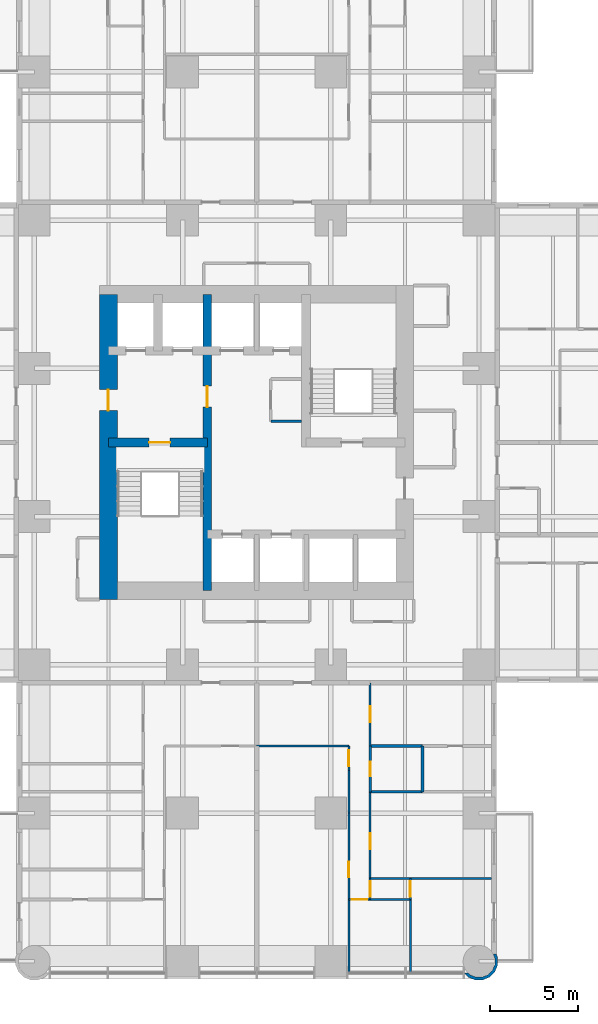
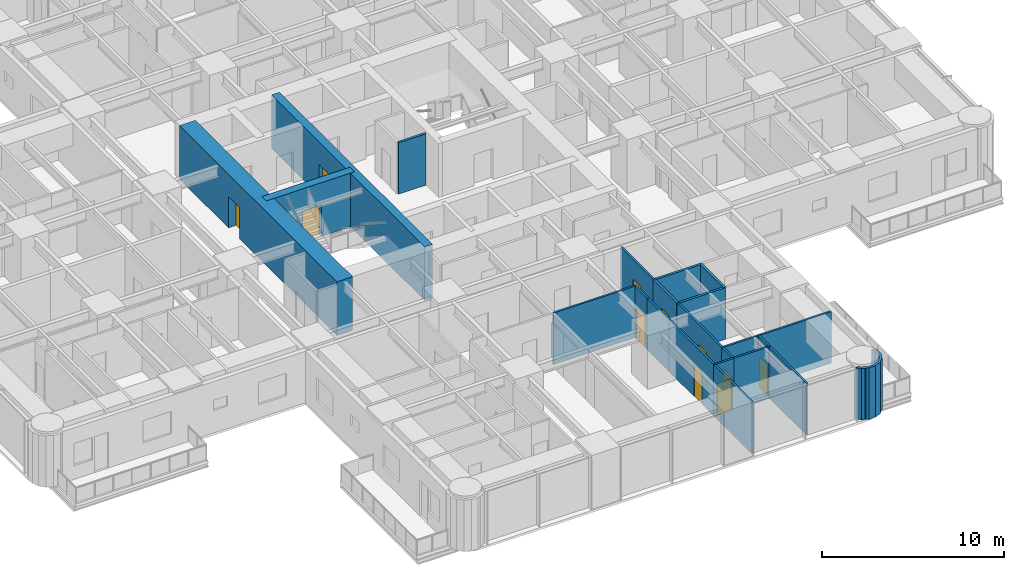
# One storey, part 9 of 17: 23 walls, 11 doors, 11 openings.
"""IFC4 building model written with IfcOpenShell, lengths in metres."""

from ifc_helpers import new_model, si_unit, direction, frame, frame_2d, origin, place, context, subcontext, project, spatial, polyline, rectangle, outline, extrude, material, layer, layer_set, type_object, element, fill, save


model = new_model("IFC4")

# Units and contexts
model_context = context("Model", 3, precision=1e-05, world=origin(), true_north=direction((0.0, 1.0)))
body_context = subcontext(model_context, "Body", "Model", "MODEL_VIEW")
ifc_project = project(units=[si_unit("LENGTHUNIT", "METRE"), si_unit("AREAUNIT", "SQUARE_METRE"), si_unit("VOLUMEUNIT", "CUBIC_METRE"), si_unit("PLANEANGLEUNIT", "RADIAN"), si_unit("MASSUNIT", "GRAM", prefix="KILO")], contexts=[model_context])

# Site, building, storey
site_placement = place(None, origin())
site = spatial("IfcSite", under=ifc_project, at=site_placement, CompositionType="ELEMENT")
building_placement = place(site_placement, origin())
building = spatial("IfcBuilding", under=site, at=building_placement, Name="Torre Alcanfor", CompositionType="ELEMENT")
storey_placement = place(building_placement, frame((0.0, 0.0, 59.699951171875)))
storey = spatial("IfcBuildingStorey", under=building, at=storey_placement, Name="L14", CompositionType="ELEMENT", Elevation=59.699951171875)

# Wall
ifc_material_1 = material(Name="Gypsum board on steel studs", Category="steel")
ifc_layer_1 = layer(ifc_material_1, 0.1201171875)
ifc_layer_set_1 = layer_set([ifc_layer_1], Name="Apartment partition 120")
wall_type_1 = type_object("IfcWallType", Name="Apartment partition 120", PredefinedType="PARTITIONING", material=ifc_layer_set_1)
wall_1_placement = place(storey_placement, frame((29.39990234375, 12.199951171875, 0.0), z_axis=(0.0, 0.0, 1.0), x_axis=(1.0, 0.0, 0.0)))
element("IfcWall", 1, at=wall_1_placement, inside=storey, type_object=wall_type_1, Name="Partition L14-S1-ZAG / L14-S1-LAUND", PredefinedType="PARTITIONING", context=body_context, shape_type="SweptSolid", body=[
    extrude(rectangle(XDim=5.22900390625, YDim=0.1201171875, at=frame_2d((2.614501953125, 0.0))), origin(), (0.0, 0.0, 1.0), 3.449951171875),
])

# Wall, opening, door
wall_2_placement = place(storey_placement, frame((34.62890625, 10.800048828125, 0.0), z_axis=(0.0, 0.0, 1.0), x_axis=(0.0, 1.0, 0.0)))
wall_2 = element("IfcWall", 2, at=wall_2_placement, inside=storey, type_object=wall_type_1, Name="Partition L14-S1-LAUND / L14-S1-HALL", PredefinedType="PARTITIONING", context=body_context, shape_type="SweptSolid", body=[
    extrude(rectangle(XDim=1.39990234375, YDim=0.1201171875, at=frame_2d((0.699951171875, 0.0))), origin(), (0.0, 0.0, 1.0), 3.449951171875),
])
opening_1_placement = place(wall_2_placement, frame((0.25, 0.0, 0.0)))
opening_1 = element("IfcOpeningElement", 3, at=opening_1_placement, cuts=wall_2, Name="Opening D-R1", PredefinedType="OPENING", context=body_context, shape_type="SweptSolid", body=[
    extrude(rectangle(XDim=0.89990234375, YDim=2.10009765625, at=frame_2d((0.449951171875, 1.050048828125))), frame((0.0, 0.070068359375, 0.0), z_axis=(0.0, -1.0, 0.0), x_axis=(1.0, 0.0, 0.0)), (0.0, 0.0, 1.0), 0.14013671875),
])
ifc_material_2 = material(Name="Timber", Category="wood")
door_type_1 = type_object("IfcDoorType", Name="Internal door 900x2100", OperationType="SINGLE_SWING_LEFT", PredefinedType="DOOR", material=ifc_material_2)
door_1_placement = place(opening_1_placement, origin())
door_1 = element("IfcDoor", 4, at=door_1_placement, inside=storey, type_object=door_type_1, Name="Door L14-S1 laund", OperationType="SINGLE_SWING_LEFT", OverallHeight=2.10009765625, OverallWidth=0.89990234375, PredefinedType="DOOR", context=body_context, shape_type="SweptSolid", body=[
    extrude(rectangle(XDim=0.89990234375, YDim=2.10009765625, at=frame_2d((0.449951171875, 1.050048828125))), frame((0.0, 0.02490234375, 0.0), z_axis=(0.0, -1.0, 0.0), x_axis=(1.0, 0.0, 0.0)), (0.0, 0.0, 1.0), 0.050048828125),
])
fill(opening_1, door_1)

# Wall
wall_3_placement = place(storey_placement, frame((34.62890625, 8.39990234375, 0.0), z_axis=(0.0, 0.0, 1.0), x_axis=(0.0, 1.0, 0.0)))
element("IfcWall", 5, at=wall_3_placement, inside=storey, type_object=wall_type_1, Name="Partition L14-S1-KITCHEN / L14-S1-HALL", PredefinedType="PARTITIONING", context=body_context, shape_type="SweptSolid", body=[
    extrude(rectangle(XDim=2.400146484375, YDim=0.1201171875, at=frame_2d((1.2001953125, 0.0))), origin(), (0.0, 0.0, 1.0), 3.449951171875),
])

# Wall, opening, door
wall_4_placement = place(storey_placement, frame((34.62890625, 3.5, 0.0), z_axis=(0.0, 0.0, 1.0), x_axis=(0.0, 1.0, 0.0)))
wall_4 = element("IfcWall", 6, at=wall_4_placement, inside=storey, type_object=wall_type_1, Name="Partition L14-S1-LIVING / L14-S1-HALL", PredefinedType="PARTITIONING", context=body_context, shape_type="SweptSolid", body=[
    extrude(rectangle(XDim=4.89990234375, YDim=0.1201171875, at=frame_2d((2.449951171875, 0.0))), origin(), (0.0, 0.0, 1.0), 3.449951171875),
])
opening_2_placement = place(wall_4_placement, frame((1.25, 0.0, 0.0)))
opening_2 = element("IfcOpeningElement", 7, at=opening_2_placement, cuts=wall_4, Name="Opening D-R1", PredefinedType="OPENING", context=body_context, shape_type="SweptSolid", body=[
    extrude(rectangle(XDim=0.89990234375, YDim=2.10009765625, at=frame_2d((0.449951171875, 1.050048828125))), frame((0.0, 0.070068359375, 0.0), z_axis=(0.0, -1.0, 0.0), x_axis=(1.0, 0.0, 0.0)), (0.0, 0.0, 1.0), 0.14013671875),
])
door_2_placement = place(opening_2_placement, origin())
door_2 = element("IfcDoor", 8, at=door_2_placement, inside=storey, type_object=door_type_1, Name="Door L14-S1 living", OperationType="SINGLE_SWING_RIGHT", OverallHeight=2.10009765625, OverallWidth=0.89990234375, PredefinedType="DOOR", context=body_context, shape_type="SweptSolid", body=[
    extrude(rectangle(XDim=0.89990234375, YDim=2.10009765625, at=frame_2d((0.449951171875, 1.050048828125))), frame((0.0, 0.02490234375, 0.0), z_axis=(0.0, -1.0, 0.0), x_axis=(1.0, 0.0, 0.0)), (0.0, 0.0, 1.0), 0.050048828125),
])
fill(opening_2, door_2)

# Wall
wall_5_placement = place(storey_placement, frame((34.62890625, -0.64990234375, 0.0), z_axis=(0.0, 0.0, 1.0), x_axis=(0.0, 1.0, 0.0)))
element("IfcWall", 9, at=wall_5_placement, inside=storey, type_object=wall_type_1, Name="Partition L14-S1-LIVING / L14-S1-BED2", PredefinedType="PARTITIONING", context=body_context, shape_type="SweptSolid", body=[
    extrude(rectangle(XDim=4.14990234375, YDim=0.1201171875, at=frame_2d((2.074951171875, 0.0))), origin(), (0.0, 0.0, 1.0), 3.449951171875),
])

# Wall, opening, door
wall_6_placement = place(storey_placement, frame((35.8291015625, 12.199951171875, 0.0), z_axis=(0.0, 0.0, 1.0), x_axis=(0.0, 1.0, 0.0)))
wall_6 = element("IfcWall", 10, at=wall_6_placement, inside=storey, type_object=wall_type_1, Name="Partition L14-S1-HALL / L14-S1-SERV", PredefinedType="PARTITIONING", context=body_context, shape_type="SweptSolid", body=[
    extrude(rectangle(XDim=3.574951171875, YDim=0.1201171875, at=frame_2d((1.78759765625, 0.0))), origin(), (0.0, 0.0, 1.0), 3.449951171875),
])
opening_3_placement = place(wall_6_placement, frame((1.35009765625, 0.0, 0.0)))
opening_3 = element("IfcOpeningElement", 11, at=opening_3_placement, cuts=wall_6, Name="Opening D-R1", PredefinedType="OPENING", context=body_context, shape_type="SweptSolid", body=[
    extrude(rectangle(XDim=0.89990234375, YDim=2.10009765625, at=frame_2d((0.449951171875, 1.050048828125))), frame((0.0, 0.070068359375, 0.0), z_axis=(0.0, -1.0, 0.0), x_axis=(1.0, 0.0, 0.0)), (0.0, 0.0, 1.0), 0.14013671875),
])
door_3_placement = place(opening_3_placement, frame((0.89990234375, 0.0, 0.0), z_axis=(0.0, 0.0, 1.0), x_axis=(-1.0, 0.0, 0.0)))
door_3 = element("IfcDoor", 12, at=door_3_placement, inside=storey, type_object=door_type_1, Name="Door L14-S1 serv", OperationType="SINGLE_SWING_LEFT", OverallHeight=2.10009765625, OverallWidth=0.89990234375, PredefinedType="DOOR", context=body_context, shape_type="SweptSolid", body=[
    extrude(rectangle(XDim=0.89990234375, YDim=2.10009765625, at=frame_2d((0.449951171875, 1.050048828125))), frame((0.0, 0.025146484375, 0.0), z_axis=(0.0, -1.0, 0.0), x_axis=(1.0, 0.0, 0.0)), (0.0, 0.0, 1.0), 0.050048828125),
])
fill(opening_3, door_3)

wall_7_placement = place(storey_placement, frame((35.8291015625, 4.699951171875, 0.0), z_axis=(0.0, 0.0, 1.0), x_axis=(0.0, 1.0, 0.0)))
wall_7 = element("IfcWall", 13, at=wall_7_placement, inside=storey, type_object=wall_type_1, Name="Partition L14-S1-HALL / L14-S1-BED3", PredefinedType="PARTITIONING", context=body_context, shape_type="SweptSolid", body=[
    extrude(rectangle(XDim=4.900146484375, YDim=0.1201171875, at=frame_2d((2.4501953125, 0.0))), origin(), (0.0, 0.0, 1.0), 3.449951171875),
])
opening_4_placement = place(wall_7_placement, frame((1.64990234375, 0.0, 0.0)))
opening_4 = element("IfcOpeningElement", 14, at=opening_4_placement, cuts=wall_7, Name="Opening D-R1", PredefinedType="OPENING", context=body_context, shape_type="SweptSolid", body=[
    extrude(rectangle(XDim=0.89990234375, YDim=2.10009765625, at=frame_2d((0.449951171875, 1.050048828125))), frame((0.0, 0.070068359375, 0.0), z_axis=(0.0, -1.0, 0.0), x_axis=(1.0, 0.0, 0.0)), (0.0, 0.0, 1.0), 0.14013671875),
])
door_4_placement = place(opening_4_placement, frame((0.89990234375, 0.0, 0.0), z_axis=(0.0, 0.0, 1.0), x_axis=(-1.0, 0.0, 0.0)))
door_4 = element("IfcDoor", 15, at=door_4_placement, inside=storey, type_object=door_type_1, Name="Door L14-S1 bed3", OperationType="SINGLE_SWING_RIGHT", OverallHeight=2.10009765625, OverallWidth=0.89990234375, PredefinedType="DOOR", context=body_context, shape_type="SweptSolid", body=[
    extrude(rectangle(XDim=0.89990234375, YDim=2.10009765625, at=frame_2d((0.449951171875, 1.050048828125))), frame((0.0, 0.025146484375, 0.0), z_axis=(0.0, -1.0, 0.0), x_axis=(1.0, 0.0, 0.0)), (0.0, 0.0, 1.0), 0.050048828125),
])
fill(opening_4, door_4)

wall_8_placement = place(storey_placement, frame((35.8291015625, 3.5, 0.0), z_axis=(0.0, 0.0, 1.0), x_axis=(0.0, 1.0, 0.0)))
wall_8 = element("IfcWall", 16, at=wall_8_placement, inside=storey, type_object=wall_type_1, Name="Partition L14-S1-HALL / L14-S1-VEST", PredefinedType="PARTITIONING", context=body_context, shape_type="SweptSolid", body=[
    extrude(rectangle(XDim=1.199951171875, YDim=0.1201171875, at=frame_2d((0.60009765625, 0.0))), origin(), (0.0, 0.0, 1.0), 3.449951171875),
])
opening_5_placement = place(wall_8_placement, frame((0.14990234375, 0.0, 0.0)))
opening_5 = element("IfcOpeningElement", 17, at=opening_5_placement, cuts=wall_8, Name="Opening D-R1", PredefinedType="OPENING", context=body_context, shape_type="SweptSolid", body=[
    extrude(rectangle(XDim=0.89990234375, YDim=2.10009765625, at=frame_2d((0.449951171875, 1.050048828125))), frame((0.0, 0.070068359375, 0.0), z_axis=(0.0, -1.0, 0.0), x_axis=(1.0, 0.0, 0.0)), (0.0, 0.0, 1.0), 0.14013671875),
])
door_5_placement = place(opening_5_placement, frame((0.89990234375, 0.0, 0.0), z_axis=(0.0, 0.0, 1.0), x_axis=(-1.0, 0.0, 0.0)))
door_5 = element("IfcDoor", 18, at=door_5_placement, inside=storey, type_object=door_type_1, Name="Door L14-S1 vest", OperationType="SINGLE_SWING_RIGHT", OverallHeight=2.10009765625, OverallWidth=0.89990234375, PredefinedType="DOOR", context=body_context, shape_type="SweptSolid", body=[
    extrude(rectangle(XDim=0.89990234375, YDim=2.10009765625, at=frame_2d((0.449951171875, 1.050048828125))), frame((0.0, 0.025146484375, 0.0), z_axis=(0.0, -1.0, 0.0), x_axis=(1.0, 0.0, 0.0)), (0.0, 0.0, 1.0), 0.050048828125),
])
fill(opening_5, door_5)

wall_9_placement = place(storey_placement, frame((34.62890625, 3.5, 0.0), z_axis=(0.0, 0.0, 1.0), x_axis=(1.0, 0.0, 0.0)))
wall_9 = element("IfcWall", 19, at=wall_9_placement, inside=storey, type_object=wall_type_1, Name="Partition L14-S1-HALL / L14-S1-BED2", PredefinedType="PARTITIONING", context=body_context, shape_type="SweptSolid", body=[
    extrude(rectangle(XDim=1.2001953125, YDim=0.1201171875, at=frame_2d((0.60009765625, 0.0))), origin(), (0.0, 0.0, 1.0), 3.449951171875),
])
opening_6_placement = place(wall_9_placement, frame((0.15087890625, 0.0, 0.0)))
opening_6 = element("IfcOpeningElement", 20, at=opening_6_placement, cuts=wall_9, Name="Opening D-R1", PredefinedType="OPENING", context=body_context, shape_type="SweptSolid", body=[
    extrude(rectangle(XDim=0.89990234375, YDim=2.10009765625, at=frame_2d((0.449951171875, 1.050048828125))), frame((0.0, 0.070068359375, 0.0), z_axis=(0.0, -1.0, 0.0), x_axis=(1.0, 0.0, 0.0)), (0.0, 0.0, 1.0), 0.14013671875),
])
door_6_placement = place(opening_6_placement, frame((0.89990234375, 0.0, 0.0), z_axis=(0.0, 0.0, 1.0), x_axis=(-1.0, 0.0, 0.0)))
door_6 = element("IfcDoor", 21, at=door_6_placement, inside=storey, type_object=door_type_1, Name="Door L14-S1 bed2", OperationType="SINGLE_SWING_RIGHT", OverallHeight=2.10009765625, OverallWidth=0.89990234375, PredefinedType="DOOR", context=body_context, shape_type="SweptSolid", body=[
    extrude(rectangle(XDim=0.89990234375, YDim=2.10009765625, at=frame_2d((0.449951171875, 1.050048828125))), frame((0.0, 0.025146484375, 0.0), z_axis=(0.0, -1.0, 0.0), x_axis=(1.0, 0.0, 0.0)), (0.0, 0.0, 1.0), 0.050048828125),
])
fill(opening_6, door_6)

# Walls
wall_10_placement = place(storey_placement, frame((35.8291015625, 4.699951171875, 0.0), z_axis=(0.0, 0.0, 1.0), x_axis=(1.0, 0.0, 0.0)))
element("IfcWall", 22, at=wall_10_placement, inside=storey, type_object=wall_type_1, Name="Partition L14-S1-BED3 / L14-S1-VEST", PredefinedType="PARTITIONING", context=body_context, shape_type="SweptSolid", body=[
    extrude(rectangle(XDim=2.284912109375, YDim=0.1201171875, at=frame_2d((1.142578125, 0.0))), origin(), (0.0, 0.0, 1.0), 3.449951171875),
])
wall_11_placement = place(storey_placement, frame((38.114013671875, 4.699951171875, 0.0), z_axis=(0.0, 0.0, 1.0), x_axis=(1.0, 0.0, 0.0)))
element("IfcWall", 23, at=wall_11_placement, inside=storey, type_object=wall_type_1, Name="Partition L14-S1-BED3 / L14-S1-MASTER", PredefinedType="PARTITIONING", context=body_context, shape_type="SweptSolid", body=[
    extrude(rectangle(XDim=4.5859375, YDim=0.1201171875, at=frame_2d((2.29296875, 0.0))), origin(), (0.0, 0.0, 1.0), 3.449951171875),
])
wall_12_placement = place(storey_placement, frame((35.8291015625, 3.5, 0.0), z_axis=(0.0, 0.0, 1.0), x_axis=(1.0, 0.0, 0.0)))
element("IfcWall", 24, at=wall_12_placement, inside=storey, type_object=wall_type_1, Name="Partition L14-S1-VEST / L14-S1-BED2", PredefinedType="PARTITIONING", context=body_context, shape_type="SweptSolid", body=[
    extrude(rectangle(XDim=2.284912109375, YDim=0.1201171875, at=frame_2d((1.142578125, 0.0))), origin(), (0.0, 0.0, 1.0), 3.449951171875),
])

# Wall, opening, door
wall_13_placement = place(storey_placement, frame((38.114013671875, 3.5, 0.0), z_axis=(0.0, 0.0, 1.0), x_axis=(0.0, 1.0, 0.0)))
wall_13 = element("IfcWall", 25, at=wall_13_placement, inside=storey, type_object=wall_type_1, Name="Partition L14-S1-VEST / L14-S1-MASTER", PredefinedType="PARTITIONING", context=body_context, shape_type="SweptSolid", body=[
    extrude(rectangle(XDim=1.199951171875, YDim=0.1201171875, at=frame_2d((0.60009765625, 0.0))), origin(), (0.0, 0.0, 1.0), 3.449951171875),
])
opening_7_placement = place(wall_13_placement, frame((0.14990234375, 0.0, 0.0)))
opening_7 = element("IfcOpeningElement", 26, at=opening_7_placement, cuts=wall_13, Name="Opening D-R1", PredefinedType="OPENING", context=body_context, shape_type="SweptSolid", body=[
    extrude(rectangle(XDim=0.89990234375, YDim=2.10009765625, at=frame_2d((0.449951171875, 1.050048828125))), frame((0.0, 0.070068359375, 0.0), z_axis=(0.0, -1.0, 0.0), x_axis=(1.0, 0.0, 0.0)), (0.0, 0.0, 1.0), 0.14013671875),
])
door_7_placement = place(opening_7_placement, origin())
door_7 = element("IfcDoor", 27, at=door_7_placement, inside=storey, type_object=door_type_1, Name="Door L14-S1 master", OperationType="SINGLE_SWING_LEFT", OverallHeight=2.10009765625, OverallWidth=0.89990234375, PredefinedType="DOOR", context=body_context, shape_type="SweptSolid", body=[
    extrude(rectangle(XDim=0.89990234375, YDim=2.10009765625, at=frame_2d((0.449951171875, 1.050048828125))), frame((0.0, 0.02490234375, 0.0), z_axis=(0.0, -1.0, 0.0), x_axis=(1.0, 0.0, 0.0)), (0.0, 0.0, 1.0), 0.050048828125),
])
fill(opening_7, door_7)

# Wall
wall_14_placement = place(storey_placement, frame((38.114013671875, -0.64990234375, 0.0), z_axis=(0.0, 0.0, 1.0), x_axis=(0.0, 1.0, 0.0)))
element("IfcWall", 28, at=wall_14_placement, inside=storey, type_object=wall_type_1, Name="Partition L14-S1-BED2 / L14-S1-MASTER", PredefinedType="PARTITIONING", context=body_context, shape_type="SweptSolid", body=[
    extrude(rectangle(XDim=4.14990234375, YDim=0.1201171875, at=frame_2d((2.074951171875, 0.0))), origin(), (0.0, 0.0, 1.0), 3.449951171875),
])

# Wall, opening, door
ifc_material_3 = material(Name="Concrete f'c 70 MPa", Category="concrete")
ifc_layer_2 = layer(ifc_material_3, 0.5)
ifc_layer_set_2 = layer_set([ifc_layer_2], Name="Core inner wall 500 f'c70")
wall_type_2 = type_object("IfcWallType", Name="Core inner wall 500 f'c70", PredefinedType="SHEAR", material=ifc_layer_set_2)
wall_15_placement = place(storey_placement, frame((26.60009765625, 21.0, 0.0), z_axis=(0.0, 0.0, 1.0), x_axis=(0.0, 1.0, 0.0)))
wall_15 = element("IfcWall", 29, at=wall_15_placement, inside=storey, type_object=wall_type_2, Name="Core wall X266 L14", PredefinedType="SHEAR", context=body_context, shape_type="SweptSolid", body=[
    extrude(rectangle(XDim=16.800048828125, YDim=0.5, at=frame_2d((8.39990234375, 0.0))), origin(), (0.0, 0.0, 1.0), 3.60009765625),
])
opening_8_placement = place(wall_15_placement, frame((10.39990234375, 0.0, 0.0)))
opening_8 = element("IfcOpeningElement", 30, at=opening_8_placement, cuts=wall_15, Name="Opening D-L1", PredefinedType="OPENING", context=body_context, shape_type="SweptSolid", body=[
    extrude(rectangle(XDim=1.199951171875, YDim=2.10009765625, at=frame_2d((0.60009765625, 1.050048828125))), frame((0.0, 0.260009765625, 0.0), z_axis=(0.0, -1.0, 0.0), x_axis=(1.0, 0.0, 0.0)), (0.0, 0.0, 1.0), 0.52001953125),
])
ifc_material_4 = material(Name="Galvanised steel sheet ASTM A653", Category="steel")
door_type_2 = type_object("IfcDoorType", Name="Lobby door FD120 1200x2100", OperationType="SINGLE_SWING_LEFT", PredefinedType="DOOR", material=ifc_material_4)
door_8_placement = place(opening_8_placement, origin())
door_8 = element("IfcDoor", 31, at=door_8_placement, inside=storey, type_object=door_type_2, Name="Lift lobby door L14", OperationType="SINGLE_SWING_LEFT", OverallHeight=2.10009765625, OverallWidth=1.199951171875, PredefinedType="DOOR", context=body_context, shape_type="SweptSolid", body=[
    extrude(rectangle(XDim=1.199951171875, YDim=2.10009765625, at=frame_2d((0.60009765625, 1.050048828125))), frame((0.0, 0.02490234375, 0.0), z_axis=(0.0, -1.0, 0.0), x_axis=(1.0, 0.0, 0.0)), (0.0, 0.0, 1.0), 0.050048828125),
])
fill(opening_8, door_8)

wall_16_placement = place(storey_placement, frame((21.0, 29.39990234375, 0.0), z_axis=(0.0, 0.0, 1.0), x_axis=(1.0, 0.0, 0.0)))
wall_16 = element("IfcWall", 32, at=wall_16_placement, inside=storey, type_object=wall_type_2, Name="Core wall Y294W L14", PredefinedType="SHEAR", context=body_context, shape_type="SweptSolid", body=[
    extrude(rectangle(XDim=5.60009765625, YDim=0.5, at=frame_2d((2.800048828125, 0.0))), origin(), (0.0, 0.0, 1.0), 3.60009765625),
])
opening_9_placement = place(wall_16_placement, frame((2.300048828125, 0.0, 0.0)))
opening_9 = element("IfcOpeningElement", 33, at=opening_9_placement, cuts=wall_16, Name="Opening D-S2", PredefinedType="OPENING", context=body_context, shape_type="SweptSolid", body=[
    extrude(rectangle(XDim=1.199951171875, YDim=2.10009765625, at=frame_2d((0.60009765625, 1.050048828125))), frame((0.0, 0.260009765625, 0.0), z_axis=(0.0, -1.0, 0.0), x_axis=(1.0, 0.0, 0.0)), (0.0, 0.0, 1.0), 0.52001953125),
])
ifc_material_5 = material(Name="Galvanised steel sheet ASTM A653", Category="steel")
door_type_3 = type_object("IfcDoorType", Name="Stair enclosure door FD120 1200x2100", OperationType="SINGLE_SWING_LEFT", PredefinedType="DOOR", material=ifc_material_5)
door_9_placement = place(opening_9_placement, frame((1.199951171875, 0.0, 0.0), z_axis=(0.0, 0.0, 1.0), x_axis=(-1.0, 0.0, 0.0)))
door_9 = element("IfcDoor", 34, at=door_9_placement, inside=storey, type_object=door_type_3, Name="Stair S1 door L14", OperationType="SINGLE_SWING_LEFT", OverallHeight=2.10009765625, OverallWidth=1.199951171875, PredefinedType="DOOR", context=body_context, shape_type="SweptSolid", body=[
    extrude(rectangle(XDim=1.199951171875, YDim=2.10009765625, at=frame_2d((0.599853515625, 1.050048828125))), frame((0.0, 0.025146484375, 0.0), z_axis=(0.0, -1.0, 0.0), x_axis=(1.0, 0.0, 0.0)), (0.0, 0.0, 1.0), 0.050048828125),
])
fill(opening_9, door_9)

ifc_material_6 = material(Name="Concrete f'c 70 MPa", Category="concrete")
ifc_layer_3 = layer(ifc_material_6, 1.0)
ifc_layer_set_3 = layer_set([ifc_layer_3], Name="Core wall 1000 f'c70")
wall_type_3 = type_object("IfcWallType", Name="Core wall 1000 f'c70", PredefinedType="SHEAR", material=ifc_layer_set_3)
wall_17_placement = place(storey_placement, frame((21.0, 37.800048828125, 0.0), z_axis=(0.0, 0.0, 1.0), x_axis=(0.0, -1.0, 0.0)))
wall_17 = element("IfcWall", 35, at=wall_17_placement, inside=storey, type_object=wall_type_3, Name="Core wall OUT-W L14", PredefinedType="SHEAR", context=body_context, shape_type="SweptSolid", body=[
    extrude(rectangle(XDim=17.300048828125, YDim=1.0, at=frame_2d((8.64990234375, 0.0))), origin(), (0.0, 0.0, 1.0), 3.60009765625),
])
opening_10_placement = place(wall_17_placement, frame((5.39990234375, 0.0, 0.0)))
opening_10 = element("IfcOpeningElement", 36, at=opening_10_placement, cuts=wall_17, Name="Opening D-L1", PredefinedType="OPENING", context=body_context, shape_type="SweptSolid", body=[
    extrude(rectangle(XDim=1.199951171875, YDim=2.10009765625, at=frame_2d((0.60009765625, 1.050048828125))), frame((0.0, 0.510009765625, 0.0), z_axis=(0.0, -1.0, 0.0), x_axis=(1.0, 0.0, 0.0)), (0.0, 0.0, 1.0), 1.02001953125),
])
door_10_placement = place(opening_10_placement, origin())
door_10 = element("IfcDoor", 37, at=door_10_placement, inside=storey, type_object=door_type_2, Name="Firefighting lobby door L14", OperationType="SINGLE_SWING_LEFT", OverallHeight=2.10009765625, OverallWidth=1.199951171875, PredefinedType="DOOR", context=body_context, shape_type="SweptSolid", body=[
    extrude(rectangle(XDim=1.199951171875, YDim=2.10009765625, at=frame_2d((0.60009765625, 1.050048828125))), frame((0.0, 0.02490234375, 0.0), z_axis=(0.0, -1.0, 0.0), x_axis=(1.0, 0.0, 0.0)), (0.0, 0.0, 1.0), 0.050048828125),
])
fill(opening_10, door_10)

# Walls
ifc_material_7 = material(Name="Concrete block masonry, hollow blocks NMX-C-404 9 MPa", Category="masonry")
ifc_layer_4 = layer(ifc_material_7, 0.14990234375)
ifc_layer_set_4 = layer_set([ifc_layer_4], Name="Residents' room partition 150")
wall_type_4 = type_object("IfcWallType", Name="Residents' room partition 150", PredefinedType="PARTITIONING", material=ifc_layer_set_4)
wall_18_placement = place(storey_placement, frame((31.949951171875, 30.60009765625, 0.0), z_axis=(0.0, 0.0, 1.0), x_axis=(-1.0, 0.0, 0.0)))
element("IfcWall", 38, at=wall_18_placement, inside=storey, type_object=wall_type_4, Name="Partition L14-LL / L14-CR1", PredefinedType="PARTITIONING", context=body_context, shape_type="SweptSolid", body=[
    extrude(rectangle(XDim=1.75, YDim=0.14990234375, at=frame_2d((0.875, 0.0))), origin(), (0.0, 0.0, 1.0), 3.449951171875),
])
ifc_material_8 = material(Name="Limestone cladding", Category="masonry")
ifc_layer_5 = layer(ifc_material_8, 0.0400390625, Name="Facing")
ifc_material_9 = material(Name="Ventilated air cavity")
ifc_layer_6 = layer(ifc_material_9, 0.02001953125, ventilated=True, Name="Ventilated joint")
ifc_material_10 = material(Name="Mineral wool insulation", Category="insulation")
ifc_layer_7 = layer(ifc_material_10, 0.10009765625, Name="Insulation")
ifc_material_11 = material(Name="Concrete f'c 35 MPa", Category="concrete")
ifc_layer_8 = layer(ifc_material_11, 0.139892578125, Name="Backing")
ifc_layer_set_5 = layer_set([ifc_layer_5, ifc_layer_6, ifc_layer_7, ifc_layer_8], Name="Rounded corner pier stone-clad 300")
wall_type_5 = type_object("IfcWallType", Name="Rounded corner pier stone-clad 300", PredefinedType="SOLIDWALL", material=ifc_layer_set_5)
wall_19_placement = place(storey_placement, frame((41.23340608, -0.610519256, 0.0), z_axis=(0.0, 0.0, 1.0), x_axis=(0.377204953059, -0.926129809145, 0.0)))
element("IfcWall", 39, at=wall_19_placement, inside=storey, type_object=wall_type_5, Name="Corner pier L14 16", PredefinedType="SOLIDWALL", context=body_context, shape_type="SweptSolid", body=[
    extrude(outline(polyline([(0.31873169437185855, 1.8425336525024494), (-0.07152710704046505, 2.001482809968314), (-0.24009471588869835, 2.0005449414227563), (-0.26941358666453996, 2.017231322070639), (-0.37003424962124987, 1.840731870737274), (-0.10240281114565264, 1.842182010528029), (0.22952066537421467, 1.7069923447343507), (0.48468330510664415, 1.4551793700683648), (0.6237907271323827, 1.1248909220292227), (0.6256685839754508, 0.7664021208386822), (0.49047891818177247, 0.4344786443188148), (0.23866594351578668, 0.1793160045863853), (0.09016005264750862, 0.11695717207098313), (0.01086965602056237, -0.07772001681430692), (0.024436010646714988, -0.08324547999388505), (0.3295868985749782, 0.04527476829386376), (0.48015223740573765, 0.19747796194128653), (0.49902760591309464, 0.19268993376963664), (0.5075741737852856, 0.2253240824532252), (0.6260202259498713, 0.3452676153211709), (0.7849693834157356, 0.7355264167334946), (0.7824906971943995, 1.1572636358175066), (0.6187245413991658, 1.5461003251275562), (0.31873169437185855, 1.8425336525024494)])), origin(), (0.0, 0.0, 1.0), 3.449951171875),
])

# Wall, opening, door
ifc_material_12 = material(Name="Cement board on steel studs", Category="steel")
ifc_layer_9 = layer(ifc_material_12, 0.14990234375)
ifc_layer_set_6 = layer_set([ifc_layer_9], Name="Wet area partition 150")
wall_type_6 = type_object("IfcWallType", Name="Wet area partition 150", PredefinedType="PARTITIONING", material=ifc_layer_set_6)
wall_20_placement = place(storey_placement, frame((35.8291015625, 9.60009765625, 0.0), z_axis=(0.0, 0.0, 1.0), x_axis=(0.0, 1.0, 0.0)))
wall_20 = element("IfcWall", 40, at=wall_20_placement, inside=storey, type_object=wall_type_6, Name="Partition L14-S1-HALL / L14-S1-BATH1", PredefinedType="PARTITIONING", context=body_context, shape_type="SweptSolid", body=[
    extrude(rectangle(XDim=2.599853515625, YDim=0.14990234375, at=frame_2d((1.2998046875, 0.0))), origin(), (0.0, 0.0, 1.0), 3.449951171875),
])
opening_11_placement = place(wall_20_placement, frame((0.89990234375, 0.0, 0.0)))
opening_11 = element("IfcOpeningElement", 41, at=opening_11_placement, cuts=wall_20, Name="Opening D-R2", PredefinedType="OPENING", context=body_context, shape_type="SweptSolid", body=[
    extrude(rectangle(XDim=0.800048828125, YDim=2.10009765625, at=frame_2d((0.39990234375, 1.050048828125))), frame((0.0, 0.0849609375, 0.0), z_axis=(0.0, -1.0, 0.0), x_axis=(1.0, 0.0, 0.0)), (0.0, 0.0, 1.0), 0.169921875),
])
ifc_material_13 = material(Name="Timber", Category="wood")
door_type_4 = type_object("IfcDoorType", Name="Bathroom door 800x2100", OperationType="SINGLE_SWING_LEFT", PredefinedType="DOOR", material=ifc_material_13)
door_11_placement = place(opening_11_placement, frame((0.800048828125, 0.0, 0.0), z_axis=(0.0, 0.0, 1.0), x_axis=(-1.0, 0.0, 0.0)))
door_11 = element("IfcDoor", 42, at=door_11_placement, inside=storey, type_object=door_type_4, Name="Door L14-S1 bath1", OperationType="SINGLE_SWING_RIGHT", OverallHeight=2.10009765625, OverallWidth=0.800048828125, PredefinedType="DOOR", context=body_context, shape_type="SweptSolid", body=[
    extrude(rectangle(XDim=0.800048828125, YDim=2.10009765625, at=frame_2d((0.400146484375, 1.050048828125))), frame((0.0, 0.025146484375, 0.0), z_axis=(0.0, -1.0, 0.0), x_axis=(1.0, 0.0, 0.0)), (0.0, 0.0, 1.0), 0.050048828125),
])
fill(opening_11, door_11)

# Walls
wall_21_placement = place(storey_placement, frame((35.8291015625, 12.199951171875, 0.0), z_axis=(0.0, 0.0, 1.0), x_axis=(1.0, 0.0, 0.0)))
element("IfcWall", 43, at=wall_21_placement, inside=storey, type_object=wall_type_6, Name="Partition L14-S1-SERV / L14-S1-BATH1", PredefinedType="PARTITIONING", context=body_context, shape_type="SweptSolid", body=[
    extrude(rectangle(XDim=2.970947265625, YDim=0.14990234375, at=frame_2d((1.4853515625, 0.0))), origin(), (0.0, 0.0, 1.0), 3.449951171875),
])
wall_22_placement = place(storey_placement, frame((38.800048828125, 9.60009765625, 0.0), z_axis=(0.0, 0.0, 1.0), x_axis=(0.0, 1.0, 0.0)))
element("IfcWall", 44, at=wall_22_placement, inside=storey, type_object=wall_type_6, Name="Partition L14-S1-BATH1 / L14-S1-SBATH", PredefinedType="PARTITIONING", context=body_context, shape_type="SweptSolid", body=[
    extrude(rectangle(XDim=2.599853515625, YDim=0.14990234375, at=frame_2d((1.2998046875, 0.0))), origin(), (0.0, 0.0, 1.0), 3.449951171875),
])
wall_23_placement = place(storey_placement, frame((35.8291015625, 9.60009765625, 0.0), z_axis=(0.0, 0.0, 1.0), x_axis=(1.0, 0.0, 0.0)))
element("IfcWall", 45, at=wall_23_placement, inside=storey, type_object=wall_type_6, Name="Partition L14-S1-BATH1 / L14-S1-BED3", PredefinedType="PARTITIONING", context=body_context, shape_type="SweptSolid", body=[
    extrude(rectangle(XDim=2.970947265625, YDim=0.14990234375, at=frame_2d((1.4853515625, 0.0))), origin(), (0.0, 0.0, 1.0), 3.449951171875),
])

save(model, "model.ifc")
